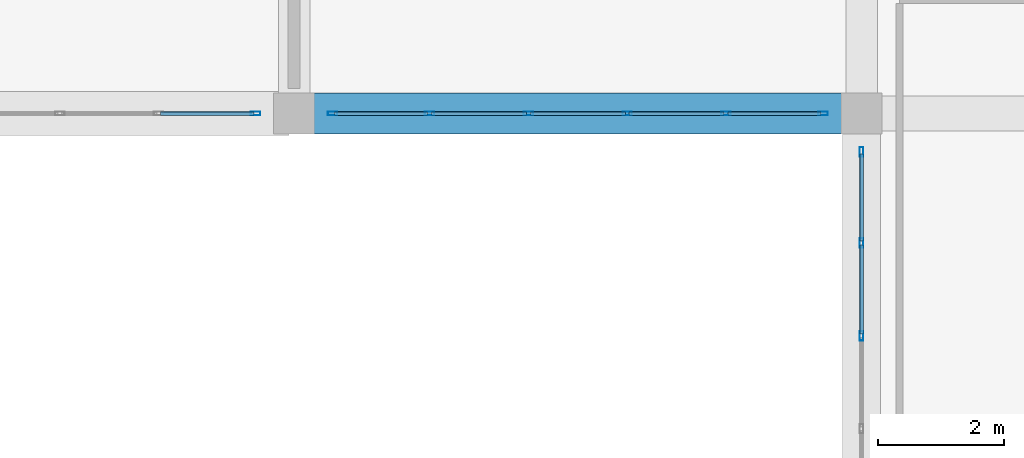
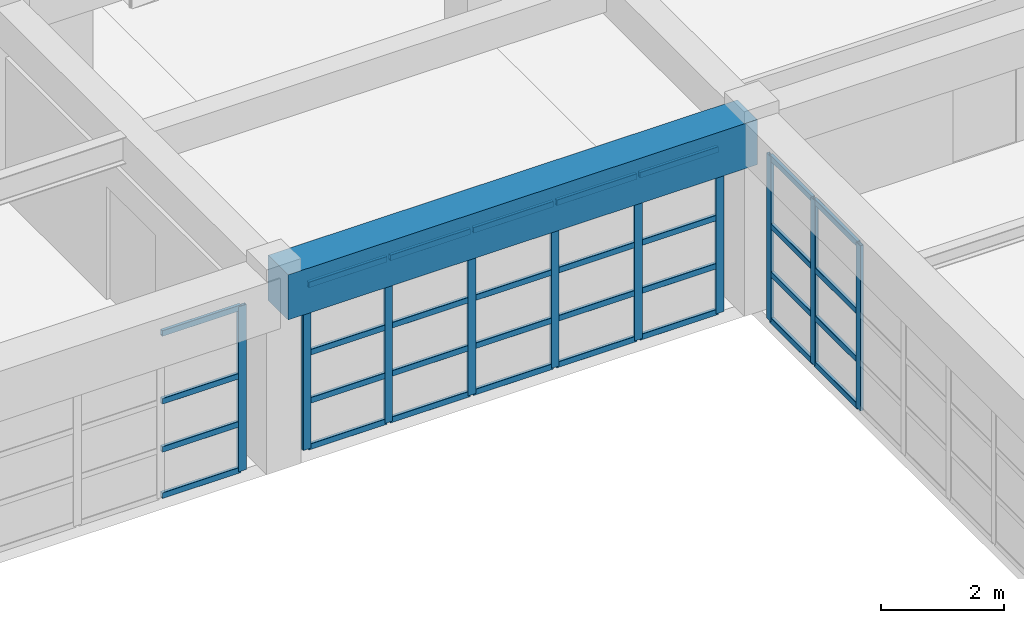
# One storey, part 31 of 130: 42 members, 1 beam, 3 elements without a shape of their own.
"""IFC4 building model written with IfcOpenShell, lengths in metres."""

from ifc_helpers import new_model, si_unit, direction, frame, origin, origin_2d, place, context, subcontext, project, spatial, rectangle, hollow_rectangle, extrude, material, material_profile, profile_set, type_object, element, aggregate, save


model = new_model("IFC4")

# Units and contexts
model_context = context("Model", 3, precision=1e-05, world=origin(), true_north=direction((0.0, 1.0)))
body_context = subcontext(model_context, "Body", "Model", "MODEL_VIEW")
ifc_project = project(units=[si_unit("LENGTHUNIT", "METRE"), si_unit("AREAUNIT", "SQUARE_METRE"), si_unit("VOLUMEUNIT", "CUBIC_METRE"), si_unit("PLANEANGLEUNIT", "RADIAN"), si_unit("MASSUNIT", "GRAM", prefix="KILO")], contexts=[model_context])

# Site, building, storey
site_placement = place(None, origin())
site = spatial("IfcSite", under=ifc_project, at=site_placement, CompositionType="ELEMENT")
building_placement = place(site_placement, origin())
building = spatial("IfcBuilding", under=site, at=building_placement, Name="Miravela Opera House", CompositionType="ELEMENT")
storey_placement = place(building_placement, frame((0.0, 0.0, 9.52001953125)))
storey = spatial("IfcBuildingStorey", under=building, at=storey_placement, Name="L02", CompositionType="ELEMENT", Elevation=9.52001953125)

# Curtain wall, member
ifc_material_1 = material(Name="Anodised architectural bronze aluminium 6063-T6", Category="aluminium")
curtain_wall_type = type_object("IfcCurtainWallType", Name="ARC-CW-06", PredefinedType="NOTDEFINED", material=ifc_material_1)
curtain_wall_1_placement = place(storey_placement, origin())
curtain_wall_1 = element("IfcCurtainWall", 1, at=curtain_wall_1_placement, inside=storey, type_object=curtain_wall_type, Name="Courtyard Arcade Curtain Wall CW-L02-140", PredefinedType="NOTDEFINED")
ifc_material_profile_1 = material_profile(ifc_material_1, hollow_rectangle(XDim=0.06005859375, YDim=0.14990234375, WallThickness=0.00390625, InnerFilletRadius=0.001953125, OuterFilletRadius=0.00390625, at=origin_2d()), Name="CWM-60X150")
ifc_profile_set_1 = profile_set([ifc_material_profile_1])
member_type_1 = type_object("IfcMemberType", Name="ARC-CWM-150", PredefinedType="MULLION", material=ifc_profile_set_1)
member_1_placement = place(storey_placement, frame((53.389892578125, 28.0, 0.0), z_axis=(0.0, 0.0, 1.0), x_axis=(0.0, 1.0, 0.0)))
member_1 = element("IfcMember", 2, at=member_1_placement, type_object=member_type_1, Name="CW-06 mullion 6", PredefinedType="MULLION", context=body_context, shape_type="SweptSolid", body=[
    extrude(hollow_rectangle(XDim=0.06005859375, YDim=0.14990234375, WallThickness=0.00390625, InnerFilletRadius=0.001953125, OuterFilletRadius=0.00390625, at=origin_2d()), origin(), (0.0, 0.0, 1.0), 3.2900390625),
])

# Curtain wall, members
curtain_wall_2_placement = place(storey_placement, origin())
curtain_wall_2 = element("IfcCurtainWall", 3, at=curtain_wall_2_placement, inside=storey, type_object=curtain_wall_type, Name="Courtyard Arcade Curtain Wall CW-L02-142", PredefinedType="NOTDEFINED")
member_2_placement = place(storey_placement, frame((54.610107421875, 28.0, 0.0), z_axis=(0.0, 0.0, 1.0), x_axis=(0.0, 1.0, 0.0)))
member_2 = element("IfcMember", 4, at=member_2_placement, type_object=member_type_1, Name="CW-06 mullion 1", PredefinedType="MULLION", context=body_context, shape_type="SweptSolid", body=[
    extrude(hollow_rectangle(XDim=0.06005859375, YDim=0.14990234375, WallThickness=0.00390625, InnerFilletRadius=0.001953125, OuterFilletRadius=0.00390625, at=origin_2d()), origin(), (0.0, 0.0, 1.0), 3.2900390625),
])
member_3_placement = place(storey_placement, frame((56.14794921875, 28.0, 0.0), z_axis=(0.0, 0.0, 1.0), x_axis=(0.0, 1.0, 0.0)))
member_3 = element("IfcMember", 5, at=member_3_placement, type_object=member_type_1, Name="CW-06 mullion 2", PredefinedType="MULLION", context=body_context, shape_type="SweptSolid", body=[
    extrude(hollow_rectangle(XDim=0.06005859375, YDim=0.14990234375, WallThickness=0.00390625, InnerFilletRadius=0.001953125, OuterFilletRadius=0.00390625, at=origin_2d()), origin(), (0.0, 0.0, 1.0), 3.2900390625),
])
member_4_placement = place(storey_placement, frame((57.716064453125, 28.0, 0.0), z_axis=(0.0, 0.0, 1.0), x_axis=(0.0, 1.0, 0.0)))
member_4 = element("IfcMember", 6, at=member_4_placement, type_object=member_type_1, Name="CW-06 mullion 3", PredefinedType="MULLION", context=body_context, shape_type="SweptSolid", body=[
    extrude(hollow_rectangle(XDim=0.06005859375, YDim=0.14990234375, WallThickness=0.00390625, InnerFilletRadius=0.001953125, OuterFilletRadius=0.00390625, at=origin_2d()), origin(), (0.0, 0.0, 1.0), 3.2900390625),
])
member_5_placement = place(storey_placement, frame((59.283935546875, 28.0, 0.0), z_axis=(0.0, 0.0, 1.0), x_axis=(0.0, 1.0, 0.0)))
member_5 = element("IfcMember", 7, at=member_5_placement, type_object=member_type_1, Name="CW-06 mullion 4", PredefinedType="MULLION", context=body_context, shape_type="SweptSolid", body=[
    extrude(hollow_rectangle(XDim=0.06005859375, YDim=0.14990234375, WallThickness=0.00390625, InnerFilletRadius=0.001953125, OuterFilletRadius=0.00390625, at=origin_2d()), origin(), (0.0, 0.0, 1.0), 3.2900390625),
])
member_6_placement = place(storey_placement, frame((60.85205078125, 28.0, 0.0), z_axis=(0.0, 0.0, 1.0), x_axis=(0.0, 1.0, 0.0)))
member_6 = element("IfcMember", 8, at=member_6_placement, type_object=member_type_1, Name="CW-06 mullion 5", PredefinedType="MULLION", context=body_context, shape_type="SweptSolid", body=[
    extrude(hollow_rectangle(XDim=0.06005859375, YDim=0.14990234375, WallThickness=0.00390625, InnerFilletRadius=0.001953125, OuterFilletRadius=0.00390625, at=origin_2d()), origin(), (0.0, 0.0, 1.0), 3.2900390625),
])
member_7_placement = place(storey_placement, frame((62.389892578125, 28.0, 0.0), z_axis=(0.0, 0.0, 1.0), x_axis=(0.0, 1.0, 0.0)))
member_7 = element("IfcMember", 9, at=member_7_placement, type_object=member_type_1, Name="CW-06 mullion 6", PredefinedType="MULLION", context=body_context, shape_type="SweptSolid", body=[
    extrude(hollow_rectangle(XDim=0.06005859375, YDim=0.14990234375, WallThickness=0.00390625, InnerFilletRadius=0.001953125, OuterFilletRadius=0.00390625, at=origin_2d()), origin(), (0.0, 0.0, 1.0), 3.2900390625),
])

curtain_wall_3_placement = place(storey_placement, origin())
curtain_wall_3 = element("IfcCurtainWall", 10, at=curtain_wall_3_placement, inside=storey, type_object=curtain_wall_type, Name="Courtyard Arcade Curtain Wall CW-L02-147", PredefinedType="NOTDEFINED")
member_8_placement = place(storey_placement, frame((63.0, 24.473388671875, 0.0), z_axis=(0.0, 0.0, 1.0), x_axis=(-1.0, 0.0, 0.0)))
member_8 = element("IfcMember", 11, at=member_8_placement, type_object=member_type_1, Name="CW-06 mullion 5", PredefinedType="MULLION", context=body_context, shape_type="SweptSolid", body=[
    extrude(hollow_rectangle(XDim=0.06005859375, YDim=0.14990234375, WallThickness=0.00390625, InnerFilletRadius=0.001953125, OuterFilletRadius=0.00390625, at=origin_2d()), origin(), (0.0, 0.0, 1.0), 3.2900390625),
])
member_9_placement = place(storey_placement, frame((63.0, 25.94677734375, 0.0), z_axis=(0.0, 0.0, 1.0), x_axis=(-1.0, 0.0, 0.0)))
member_9 = element("IfcMember", 12, at=member_9_placement, type_object=member_type_1, Name="CW-06 mullion 6", PredefinedType="MULLION", context=body_context, shape_type="SweptSolid", body=[
    extrude(hollow_rectangle(XDim=0.06005859375, YDim=0.14990234375, WallThickness=0.00390625, InnerFilletRadius=0.001953125, OuterFilletRadius=0.00390625, at=origin_2d()), origin(), (0.0, 0.0, 1.0), 3.2900390625),
])
member_10_placement = place(storey_placement, frame((63.0, 27.389892578125, 0.0), z_axis=(0.0, 0.0, 1.0), x_axis=(-1.0, 0.0, 0.0)))
member_10 = element("IfcMember", 13, at=member_10_placement, type_object=member_type_1, Name="CW-06 mullion 7", PredefinedType="MULLION", context=body_context, shape_type="SweptSolid", body=[
    extrude(hollow_rectangle(XDim=0.06005859375, YDim=0.14990234375, WallThickness=0.00390625, InnerFilletRadius=0.001953125, OuterFilletRadius=0.00390625, at=origin_2d()), origin(), (0.0, 0.0, 1.0), 3.2900390625),
])

# Member
ifc_material_profile_2 = material_profile(ifc_material_1, hollow_rectangle(XDim=0.06005859375, YDim=0.114990234375, WallThickness=0.00390625, InnerFilletRadius=0.001953125, OuterFilletRadius=0.00390625, at=origin_2d()), Name="CWT-60X115")
ifc_profile_set_2 = profile_set([ifc_material_profile_2])
member_type_2 = type_object("IfcMemberType", Name="ARC-CWT-115", PredefinedType="USERDEFINED", material=ifc_profile_set_2)
member_11_placement = place(storey_placement, frame((51.882080078125, 28.0, 0.030029296875), z_axis=(1.0, 0.0, 0.0), x_axis=(0.0, 1.0, 0.0)))
member_11 = element("IfcMember", 14, at=member_11_placement, type_object=member_type_2, Name="CW-06 transom 5.1", ObjectType="TRANSOM", PredefinedType="USERDEFINED", context=body_context, shape_type="SweptSolid", body=[
    extrude(hollow_rectangle(XDim=0.06005859375, YDim=0.114990234375, WallThickness=0.00390625, InnerFilletRadius=0.001953125, OuterFilletRadius=0.00390625, at=origin_2d()), origin(), (0.0, 0.0, 1.0), 1.47802734375),
])

member_12_placement = place(storey_placement, frame((51.882080078125, 28.0, 0.949951171875), z_axis=(1.0, 0.0, 0.0), x_axis=(0.0, 1.0, 0.0)))
member_12 = element("IfcMember", 15, at=member_12_placement, type_object=member_type_2, Name="CW-06 transom 5.2", ObjectType="TRANSOM", PredefinedType="USERDEFINED", context=body_context, shape_type="SweptSolid", body=[
    extrude(hollow_rectangle(XDim=0.06005859375, YDim=0.114990234375, WallThickness=0.00390625, InnerFilletRadius=0.001953125, OuterFilletRadius=0.00390625, at=origin_2d()), origin(), (0.0, 0.0, 1.0), 1.47802734375),
])

member_13_placement = place(storey_placement, frame((51.882080078125, 28.0, 1.908203125), z_axis=(1.0, 0.0, 0.0), x_axis=(0.0, 1.0, 0.0)))
member_13 = element("IfcMember", 16, at=member_13_placement, type_object=member_type_2, Name="CW-06 transom 5.3", ObjectType="TRANSOM", PredefinedType="USERDEFINED", context=body_context, shape_type="SweptSolid", body=[
    extrude(hollow_rectangle(XDim=0.06005859375, YDim=0.114990234375, WallThickness=0.00390625, InnerFilletRadius=0.001953125, OuterFilletRadius=0.00390625, at=origin_2d()), origin(), (0.0, 0.0, 1.0), 1.47802734375),
])

member_14_placement = place(storey_placement, frame((51.882080078125, 28.0, 3.260009765625), z_axis=(1.0, 0.0, 0.0), x_axis=(0.0, 1.0, 0.0)))
member_14 = element("IfcMember", 17, at=member_14_placement, type_object=member_type_2, Name="CW-06 transom 5.4", ObjectType="TRANSOM", PredefinedType="USERDEFINED", context=body_context, shape_type="SweptSolid", body=[
    extrude(hollow_rectangle(XDim=0.06005859375, YDim=0.114990234375, WallThickness=0.00390625, InnerFilletRadius=0.001953125, OuterFilletRadius=0.00390625, at=origin_2d()), origin(), (0.0, 0.0, 1.0), 1.47802734375),
])

aggregate(curtain_wall_1, [member_1, member_11, member_12, member_13, member_14])

member_15_placement = place(storey_placement, frame((54.639892578125, 28.0, 0.030029296875), z_axis=(1.0, 0.0, 0.0), x_axis=(0.0, 1.0, 0.0)))
member_15 = element("IfcMember", 18, at=member_15_placement, type_object=member_type_2, Name="CW-06 transom 1.1", ObjectType="TRANSOM", PredefinedType="USERDEFINED", context=body_context, shape_type="SweptSolid", body=[
    extrude(hollow_rectangle(XDim=0.06005859375, YDim=0.114990234375, WallThickness=0.00390625, InnerFilletRadius=0.001953125, OuterFilletRadius=0.00390625, at=origin_2d()), origin(), (0.0, 0.0, 1.0), 1.47802734375),
])

member_16_placement = place(storey_placement, frame((54.639892578125, 28.0, 0.949951171875), z_axis=(1.0, 0.0, 0.0), x_axis=(0.0, 1.0, 0.0)))
member_16 = element("IfcMember", 19, at=member_16_placement, type_object=member_type_2, Name="CW-06 transom 1.2", ObjectType="TRANSOM", PredefinedType="USERDEFINED", context=body_context, shape_type="SweptSolid", body=[
    extrude(hollow_rectangle(XDim=0.06005859375, YDim=0.114990234375, WallThickness=0.00390625, InnerFilletRadius=0.001953125, OuterFilletRadius=0.00390625, at=origin_2d()), origin(), (0.0, 0.0, 1.0), 1.47802734375),
])

member_17_placement = place(storey_placement, frame((54.639892578125, 28.0, 1.908203125), z_axis=(1.0, 0.0, 0.0), x_axis=(0.0, 1.0, 0.0)))
member_17 = element("IfcMember", 20, at=member_17_placement, type_object=member_type_2, Name="CW-06 transom 1.3", ObjectType="TRANSOM", PredefinedType="USERDEFINED", context=body_context, shape_type="SweptSolid", body=[
    extrude(hollow_rectangle(XDim=0.06005859375, YDim=0.114990234375, WallThickness=0.00390625, InnerFilletRadius=0.001953125, OuterFilletRadius=0.00390625, at=origin_2d()), origin(), (0.0, 0.0, 1.0), 1.47802734375),
])

member_18_placement = place(storey_placement, frame((54.639892578125, 28.0, 3.260009765625), z_axis=(1.0, 0.0, 0.0), x_axis=(0.0, 1.0, 0.0)))
member_18 = element("IfcMember", 21, at=member_18_placement, type_object=member_type_2, Name="CW-06 transom 1.4", ObjectType="TRANSOM", PredefinedType="USERDEFINED", context=body_context, shape_type="SweptSolid", body=[
    extrude(hollow_rectangle(XDim=0.06005859375, YDim=0.114990234375, WallThickness=0.00390625, InnerFilletRadius=0.001953125, OuterFilletRadius=0.00390625, at=origin_2d()), origin(), (0.0, 0.0, 1.0), 1.47802734375),
])

member_19_placement = place(storey_placement, frame((56.177978515625, 28.0, 0.030029296875), z_axis=(1.0, 0.0, 0.0), x_axis=(0.0, 1.0, 0.0)))
member_19 = element("IfcMember", 22, at=member_19_placement, type_object=member_type_2, Name="CW-06 transom 2.1", ObjectType="TRANSOM", PredefinedType="USERDEFINED", context=body_context, shape_type="SweptSolid", body=[
    extrude(hollow_rectangle(XDim=0.06005859375, YDim=0.114990234375, WallThickness=0.00390625, InnerFilletRadius=0.001953125, OuterFilletRadius=0.00390625, at=origin_2d()), origin(), (0.0, 0.0, 1.0), 1.508056640625),
])

member_20_placement = place(storey_placement, frame((56.177978515625, 28.0, 0.949951171875), z_axis=(1.0, 0.0, 0.0), x_axis=(0.0, 1.0, 0.0)))
member_20 = element("IfcMember", 23, at=member_20_placement, type_object=member_type_2, Name="CW-06 transom 2.2", ObjectType="TRANSOM", PredefinedType="USERDEFINED", context=body_context, shape_type="SweptSolid", body=[
    extrude(hollow_rectangle(XDim=0.06005859375, YDim=0.114990234375, WallThickness=0.00390625, InnerFilletRadius=0.001953125, OuterFilletRadius=0.00390625, at=origin_2d()), origin(), (0.0, 0.0, 1.0), 1.508056640625),
])

member_21_placement = place(storey_placement, frame((56.177978515625, 28.0, 1.908203125), z_axis=(1.0, 0.0, 0.0), x_axis=(0.0, 1.0, 0.0)))
member_21 = element("IfcMember", 24, at=member_21_placement, type_object=member_type_2, Name="CW-06 transom 2.3", ObjectType="TRANSOM", PredefinedType="USERDEFINED", context=body_context, shape_type="SweptSolid", body=[
    extrude(hollow_rectangle(XDim=0.06005859375, YDim=0.114990234375, WallThickness=0.00390625, InnerFilletRadius=0.001953125, OuterFilletRadius=0.00390625, at=origin_2d()), origin(), (0.0, 0.0, 1.0), 1.508056640625),
])

member_22_placement = place(storey_placement, frame((56.177978515625, 28.0, 3.260009765625), z_axis=(1.0, 0.0, 0.0), x_axis=(0.0, 1.0, 0.0)))
member_22 = element("IfcMember", 25, at=member_22_placement, type_object=member_type_2, Name="CW-06 transom 2.4", ObjectType="TRANSOM", PredefinedType="USERDEFINED", context=body_context, shape_type="SweptSolid", body=[
    extrude(hollow_rectangle(XDim=0.06005859375, YDim=0.114990234375, WallThickness=0.00390625, InnerFilletRadius=0.001953125, OuterFilletRadius=0.00390625, at=origin_2d()), origin(), (0.0, 0.0, 1.0), 1.508056640625),
])

member_23_placement = place(storey_placement, frame((57.74609375, 28.0, 0.030029296875), z_axis=(1.0, 0.0, 0.0), x_axis=(0.0, 1.0, 0.0)))
member_23 = element("IfcMember", 26, at=member_23_placement, type_object=member_type_2, Name="CW-06 transom 3.1", ObjectType="TRANSOM", PredefinedType="USERDEFINED", context=body_context, shape_type="SweptSolid", body=[
    extrude(hollow_rectangle(XDim=0.06005859375, YDim=0.114990234375, WallThickness=0.00390625, InnerFilletRadius=0.001953125, OuterFilletRadius=0.00390625, at=origin_2d()), origin(), (0.0, 0.0, 1.0), 1.5078125),
])

member_24_placement = place(storey_placement, frame((57.74609375, 28.0, 0.949951171875), z_axis=(1.0, 0.0, 0.0), x_axis=(0.0, 1.0, 0.0)))
member_24 = element("IfcMember", 27, at=member_24_placement, type_object=member_type_2, Name="CW-06 transom 3.2", ObjectType="TRANSOM", PredefinedType="USERDEFINED", context=body_context, shape_type="SweptSolid", body=[
    extrude(hollow_rectangle(XDim=0.06005859375, YDim=0.114990234375, WallThickness=0.00390625, InnerFilletRadius=0.001953125, OuterFilletRadius=0.00390625, at=origin_2d()), origin(), (0.0, 0.0, 1.0), 1.5078125),
])

member_25_placement = place(storey_placement, frame((57.74609375, 28.0, 1.908203125), z_axis=(1.0, 0.0, 0.0), x_axis=(0.0, 1.0, 0.0)))
member_25 = element("IfcMember", 28, at=member_25_placement, type_object=member_type_2, Name="CW-06 transom 3.3", ObjectType="TRANSOM", PredefinedType="USERDEFINED", context=body_context, shape_type="SweptSolid", body=[
    extrude(hollow_rectangle(XDim=0.06005859375, YDim=0.114990234375, WallThickness=0.00390625, InnerFilletRadius=0.001953125, OuterFilletRadius=0.00390625, at=origin_2d()), origin(), (0.0, 0.0, 1.0), 1.5078125),
])

member_26_placement = place(storey_placement, frame((57.74609375, 28.0, 3.260009765625), z_axis=(1.0, 0.0, 0.0), x_axis=(0.0, 1.0, 0.0)))
member_26 = element("IfcMember", 29, at=member_26_placement, type_object=member_type_2, Name="CW-06 transom 3.4", ObjectType="TRANSOM", PredefinedType="USERDEFINED", context=body_context, shape_type="SweptSolid", body=[
    extrude(hollow_rectangle(XDim=0.06005859375, YDim=0.114990234375, WallThickness=0.00390625, InnerFilletRadius=0.001953125, OuterFilletRadius=0.00390625, at=origin_2d()), origin(), (0.0, 0.0, 1.0), 1.5078125),
])

member_27_placement = place(storey_placement, frame((59.31396484375, 28.0, 0.030029296875), z_axis=(1.0, 0.0, 0.0), x_axis=(0.0, 1.0, 0.0)))
member_27 = element("IfcMember", 30, at=member_27_placement, type_object=member_type_2, Name="CW-06 transom 4.1", ObjectType="TRANSOM", PredefinedType="USERDEFINED", context=body_context, shape_type="SweptSolid", body=[
    extrude(hollow_rectangle(XDim=0.06005859375, YDim=0.114990234375, WallThickness=0.00390625, InnerFilletRadius=0.001953125, OuterFilletRadius=0.00390625, at=origin_2d()), origin(), (0.0, 0.0, 1.0), 1.508056640625),
])

member_28_placement = place(storey_placement, frame((59.31396484375, 28.0, 0.949951171875), z_axis=(1.0, 0.0, 0.0), x_axis=(0.0, 1.0, 0.0)))
member_28 = element("IfcMember", 31, at=member_28_placement, type_object=member_type_2, Name="CW-06 transom 4.2", ObjectType="TRANSOM", PredefinedType="USERDEFINED", context=body_context, shape_type="SweptSolid", body=[
    extrude(hollow_rectangle(XDim=0.06005859375, YDim=0.114990234375, WallThickness=0.00390625, InnerFilletRadius=0.001953125, OuterFilletRadius=0.00390625, at=origin_2d()), origin(), (0.0, 0.0, 1.0), 1.508056640625),
])

member_29_placement = place(storey_placement, frame((59.31396484375, 28.0, 1.908203125), z_axis=(1.0, 0.0, 0.0), x_axis=(0.0, 1.0, 0.0)))
member_29 = element("IfcMember", 32, at=member_29_placement, type_object=member_type_2, Name="CW-06 transom 4.3", ObjectType="TRANSOM", PredefinedType="USERDEFINED", context=body_context, shape_type="SweptSolid", body=[
    extrude(hollow_rectangle(XDim=0.06005859375, YDim=0.114990234375, WallThickness=0.00390625, InnerFilletRadius=0.001953125, OuterFilletRadius=0.00390625, at=origin_2d()), origin(), (0.0, 0.0, 1.0), 1.508056640625),
])

member_30_placement = place(storey_placement, frame((59.31396484375, 28.0, 3.260009765625), z_axis=(1.0, 0.0, 0.0), x_axis=(0.0, 1.0, 0.0)))
member_30 = element("IfcMember", 33, at=member_30_placement, type_object=member_type_2, Name="CW-06 transom 4.4", ObjectType="TRANSOM", PredefinedType="USERDEFINED", context=body_context, shape_type="SweptSolid", body=[
    extrude(hollow_rectangle(XDim=0.06005859375, YDim=0.114990234375, WallThickness=0.00390625, InnerFilletRadius=0.001953125, OuterFilletRadius=0.00390625, at=origin_2d()), origin(), (0.0, 0.0, 1.0), 1.508056640625),
])

member_31_placement = place(storey_placement, frame((60.882080078125, 28.0, 0.030029296875), z_axis=(1.0, 0.0, 0.0), x_axis=(0.0, 1.0, 0.0)))
member_31 = element("IfcMember", 34, at=member_31_placement, type_object=member_type_2, Name="CW-06 transom 5.1", ObjectType="TRANSOM", PredefinedType="USERDEFINED", context=body_context, shape_type="SweptSolid", body=[
    extrude(hollow_rectangle(XDim=0.06005859375, YDim=0.114990234375, WallThickness=0.00390625, InnerFilletRadius=0.001953125, OuterFilletRadius=0.00390625, at=origin_2d()), origin(), (0.0, 0.0, 1.0), 1.47802734375),
])

member_32_placement = place(storey_placement, frame((60.882080078125, 28.0, 0.949951171875), z_axis=(1.0, 0.0, 0.0), x_axis=(0.0, 1.0, 0.0)))
member_32 = element("IfcMember", 35, at=member_32_placement, type_object=member_type_2, Name="CW-06 transom 5.2", ObjectType="TRANSOM", PredefinedType="USERDEFINED", context=body_context, shape_type="SweptSolid", body=[
    extrude(hollow_rectangle(XDim=0.06005859375, YDim=0.114990234375, WallThickness=0.00390625, InnerFilletRadius=0.001953125, OuterFilletRadius=0.00390625, at=origin_2d()), origin(), (0.0, 0.0, 1.0), 1.47802734375),
])

member_33_placement = place(storey_placement, frame((60.882080078125, 28.0, 1.908203125), z_axis=(1.0, 0.0, 0.0), x_axis=(0.0, 1.0, 0.0)))
member_33 = element("IfcMember", 36, at=member_33_placement, type_object=member_type_2, Name="CW-06 transom 5.3", ObjectType="TRANSOM", PredefinedType="USERDEFINED", context=body_context, shape_type="SweptSolid", body=[
    extrude(hollow_rectangle(XDim=0.06005859375, YDim=0.114990234375, WallThickness=0.00390625, InnerFilletRadius=0.001953125, OuterFilletRadius=0.00390625, at=origin_2d()), origin(), (0.0, 0.0, 1.0), 1.47802734375),
])

member_34_placement = place(storey_placement, frame((60.882080078125, 28.0, 3.260009765625), z_axis=(1.0, 0.0, 0.0), x_axis=(0.0, 1.0, 0.0)))
member_34 = element("IfcMember", 37, at=member_34_placement, type_object=member_type_2, Name="CW-06 transom 5.4", ObjectType="TRANSOM", PredefinedType="USERDEFINED", context=body_context, shape_type="SweptSolid", body=[
    extrude(hollow_rectangle(XDim=0.06005859375, YDim=0.114990234375, WallThickness=0.00390625, InnerFilletRadius=0.001953125, OuterFilletRadius=0.00390625, at=origin_2d()), origin(), (0.0, 0.0, 1.0), 1.47802734375),
])

aggregate(curtain_wall_2, [member_2, member_3, member_4, member_5, member_6, member_7, member_15, member_16, member_17, member_18, member_19, member_20, member_21, member_22, member_23, member_24, member_25, member_26, member_27, member_28, member_29, member_30, member_31, member_32, member_33, member_34])

member_35_placement = place(storey_placement, frame((63.0, 24.50341796875, 0.030029296875), z_axis=(0.0, 1.0, 0.0), x_axis=(-1.0, 0.0, 0.0)))
member_35 = element("IfcMember", 38, at=member_35_placement, type_object=member_type_2, Name="CW-06 transom 5.1", ObjectType="TRANSOM", PredefinedType="USERDEFINED", context=body_context, shape_type="SweptSolid", body=[
    extrude(hollow_rectangle(XDim=0.06005859375, YDim=0.114990234375, WallThickness=0.00390625, InnerFilletRadius=0.001953125, OuterFilletRadius=0.00390625, at=origin_2d()), origin(), (0.0, 0.0, 1.0), 1.413330078125),
])

member_36_placement = place(storey_placement, frame((63.0, 24.50341796875, 0.949951171875), z_axis=(0.0, 1.0, 0.0), x_axis=(-1.0, 0.0, 0.0)))
member_36 = element("IfcMember", 39, at=member_36_placement, type_object=member_type_2, Name="CW-06 transom 5.2", ObjectType="TRANSOM", PredefinedType="USERDEFINED", context=body_context, shape_type="SweptSolid", body=[
    extrude(hollow_rectangle(XDim=0.06005859375, YDim=0.114990234375, WallThickness=0.00390625, InnerFilletRadius=0.001953125, OuterFilletRadius=0.00390625, at=origin_2d()), origin(), (0.0, 0.0, 1.0), 1.413330078125),
])

member_37_placement = place(storey_placement, frame((63.0, 24.50341796875, 1.908203125), z_axis=(0.0, 1.0, 0.0), x_axis=(-1.0, 0.0, 0.0)))
member_37 = element("IfcMember", 40, at=member_37_placement, type_object=member_type_2, Name="CW-06 transom 5.3", ObjectType="TRANSOM", PredefinedType="USERDEFINED", context=body_context, shape_type="SweptSolid", body=[
    extrude(hollow_rectangle(XDim=0.06005859375, YDim=0.114990234375, WallThickness=0.00390625, InnerFilletRadius=0.001953125, OuterFilletRadius=0.00390625, at=origin_2d()), origin(), (0.0, 0.0, 1.0), 1.413330078125),
])

member_38_placement = place(storey_placement, frame((63.0, 24.50341796875, 3.260009765625), z_axis=(0.0, 1.0, 0.0), x_axis=(-1.0, 0.0, 0.0)))
member_38 = element("IfcMember", 41, at=member_38_placement, type_object=member_type_2, Name="CW-06 transom 5.4", ObjectType="TRANSOM", PredefinedType="USERDEFINED", context=body_context, shape_type="SweptSolid", body=[
    extrude(hollow_rectangle(XDim=0.06005859375, YDim=0.114990234375, WallThickness=0.00390625, InnerFilletRadius=0.001953125, OuterFilletRadius=0.00390625, at=origin_2d()), origin(), (0.0, 0.0, 1.0), 1.413330078125),
])

member_39_placement = place(storey_placement, frame((63.0, 25.9765625, 0.030029296875), z_axis=(0.0, 1.0, 0.0), x_axis=(-1.0, 0.0, 0.0)))
member_39 = element("IfcMember", 42, at=member_39_placement, type_object=member_type_2, Name="CW-06 transom 6.1", ObjectType="TRANSOM", PredefinedType="USERDEFINED", context=body_context, shape_type="SweptSolid", body=[
    extrude(hollow_rectangle(XDim=0.06005859375, YDim=0.114990234375, WallThickness=0.00390625, InnerFilletRadius=0.001953125, OuterFilletRadius=0.00390625, at=origin_2d()), origin(), (0.0, 0.0, 1.0), 1.383544921875),
])

member_40_placement = place(storey_placement, frame((63.0, 25.9765625, 0.949951171875), z_axis=(0.0, 1.0, 0.0), x_axis=(-1.0, 0.0, 0.0)))
member_40 = element("IfcMember", 43, at=member_40_placement, type_object=member_type_2, Name="CW-06 transom 6.2", ObjectType="TRANSOM", PredefinedType="USERDEFINED", context=body_context, shape_type="SweptSolid", body=[
    extrude(hollow_rectangle(XDim=0.06005859375, YDim=0.114990234375, WallThickness=0.00390625, InnerFilletRadius=0.001953125, OuterFilletRadius=0.00390625, at=origin_2d()), origin(), (0.0, 0.0, 1.0), 1.383544921875),
])

member_41_placement = place(storey_placement, frame((63.0, 25.9765625, 1.908203125), z_axis=(0.0, 1.0, 0.0), x_axis=(-1.0, 0.0, 0.0)))
member_41 = element("IfcMember", 44, at=member_41_placement, type_object=member_type_2, Name="CW-06 transom 6.3", ObjectType="TRANSOM", PredefinedType="USERDEFINED", context=body_context, shape_type="SweptSolid", body=[
    extrude(hollow_rectangle(XDim=0.06005859375, YDim=0.114990234375, WallThickness=0.00390625, InnerFilletRadius=0.001953125, OuterFilletRadius=0.00390625, at=origin_2d()), origin(), (0.0, 0.0, 1.0), 1.383544921875),
])

member_42_placement = place(storey_placement, frame((63.0, 25.9765625, 3.260009765625), z_axis=(0.0, 1.0, 0.0), x_axis=(-1.0, 0.0, 0.0)))
member_42 = element("IfcMember", 45, at=member_42_placement, type_object=member_type_2, Name="CW-06 transom 6.4", ObjectType="TRANSOM", PredefinedType="USERDEFINED", context=body_context, shape_type="SweptSolid", body=[
    extrude(hollow_rectangle(XDim=0.06005859375, YDim=0.114990234375, WallThickness=0.00390625, InnerFilletRadius=0.001953125, OuterFilletRadius=0.00390625, at=origin_2d()), origin(), (0.0, 0.0, 1.0), 1.383544921875),
])

aggregate(curtain_wall_3, [member_8, member_9, member_10, member_35, member_36, member_37, member_38, member_39, member_40, member_41, member_42])

# Beam
ifc_material_2 = material(Name="Concrete C40/50", Category="concrete")
ifc_material_profile_3 = material_profile(ifc_material_2, rectangle(XDim=0.64990234375, YDim=0.89990234375, at=origin_2d()), Name="RC-BM-650X900")
ifc_profile_set_3 = profile_set([ifc_material_profile_3])
beam_type = type_object("IfcBeamType", Name="STR-BM-RC650X900", PredefinedType="BEAM", material=ifc_profile_set_3)
beam_placement = place(storey_placement, frame((54.080078125, 28.0, 3.389892578125), z_axis=(1.0, 0.0, 0.0), x_axis=(0.0, 1.0, 0.0)))
element("IfcBeam", 46, at=beam_placement, inside=storey, type_object=beam_type, Name="Floor Girder L02 7-8/D", PredefinedType="BEAM", context=body_context, shape_type="SweptSolid", body=[
    extrude(rectangle(XDim=0.64990234375, YDim=0.89990234375, at=origin_2d()), origin(), (0.0, 0.0, 1.0), 8.83984375),
])

save(model, "model.ifc")
